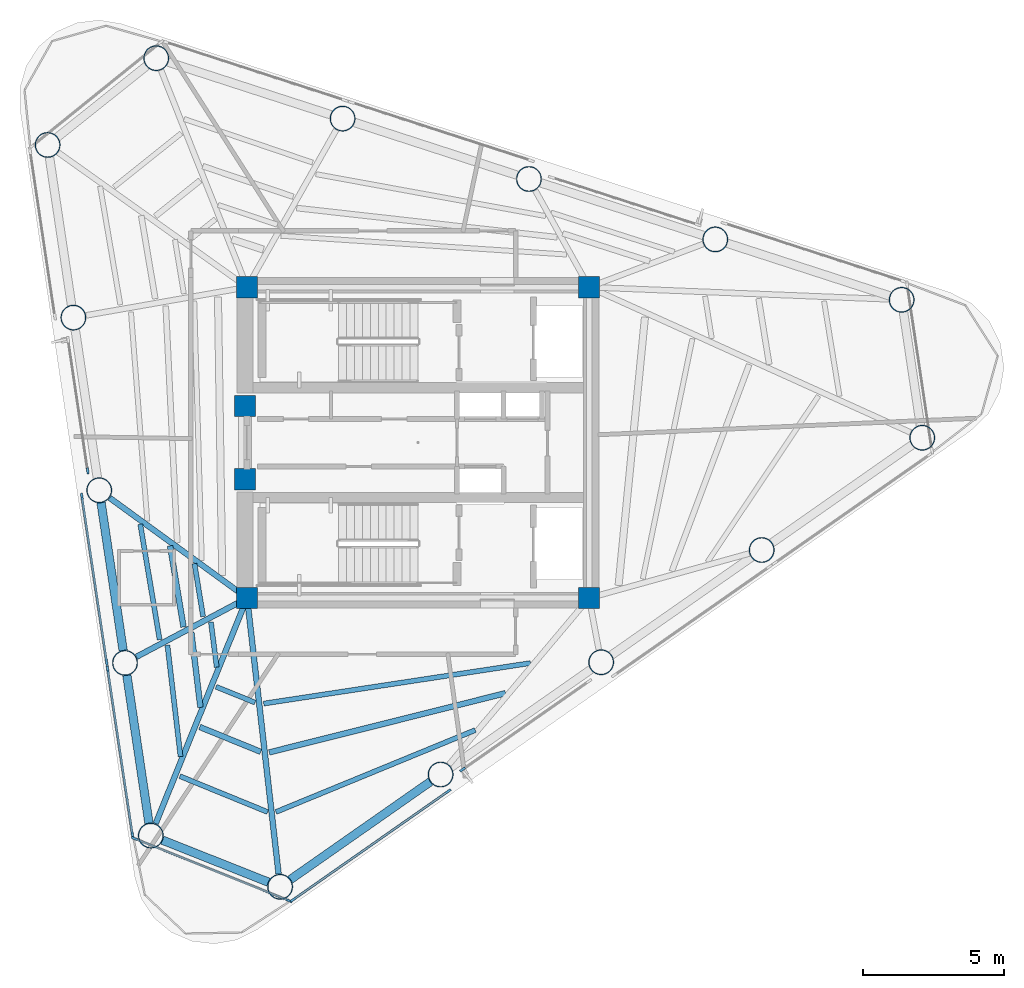
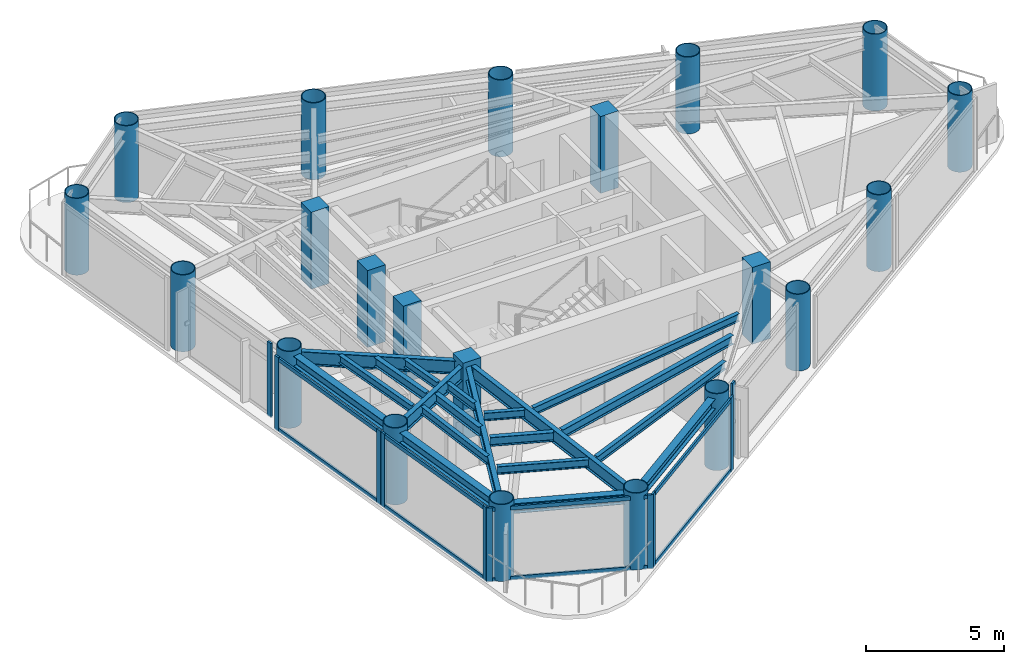
# One storey, part 1 of 9: 21 columns, 20 beams, 18 members, 6 elements without a shape of their own.
"""IFC4 building model written with IfcOpenShell, lengths in metres."""

from ifc_helpers import new_model, si_unit, direction, frame, origin, origin_2d, place, context, subcontext, project, spatial, rectangle, hollow_circle, i_section, extrude, source, transform, mapped, material, layer, layer_set, material_profile, profile_set, type_object, element, aggregate, save


model = new_model("IFC4")

# Units and contexts
model_context = context("Model", 3, precision=1e-05, world=origin(), true_north=direction((0.0, 1.0)))
body_context = subcontext(model_context, "Body", "Model", "MODEL_VIEW")
ifc_project = project(units=[si_unit("LENGTHUNIT", "METRE"), si_unit("AREAUNIT", "SQUARE_METRE"), si_unit("VOLUMEUNIT", "CUBIC_METRE"), si_unit("PLANEANGLEUNIT", "RADIAN"), si_unit("MASSUNIT", "GRAM", prefix="KILO")], contexts=[model_context])

# Site, building, storey
site_placement = place(None, origin())
site = spatial("IfcSite", under=ifc_project, at=site_placement, CompositionType="ELEMENT")
building_placement = place(site_placement, origin())
building = spatial("IfcBuilding", under=site, at=building_placement, Name="Yunling Apex Tower", CompositionType="ELEMENT")
storey_placement = place(building_placement, frame((0.0, 0.0, 281.35009765625)))
storey = spatial("IfcBuildingStorey", under=building, at=storey_placement, Name="L69", CompositionType="ELEMENT", Elevation=281.35009765625)

# Columns
ifc_material_1 = material(Name="Concrete C50", Category="concrete")
ifc_material_profile_1 = material_profile(ifc_material_1, rectangle(XDim=0.75, YDim=0.75, at=origin_2d()))
ifc_profile_set_1 = profile_set([ifc_material_profile_1], Name="Concrete C50")
column_type_1 = type_object("IfcColumnType", Name="PC-SRC-4", PredefinedType="COLUMN", material=ifc_profile_set_1)
shared_shape_1 = source(origin(), body_context, "Body", "SweptSolid", [
    extrude(rectangle(XDim=0.75, YDim=0.75, at=origin_2d()), origin(), (0.0, 0.0, 1.0), 3.39990234375),
])
for number, where, z_axis, x_axis, name in (
    (1, (-6.050048828125, -5.5, 0.0), (0.0, 0.0, 1.0), (1.0, 0.0, 0.0), "L69 Core Spine Column CC-SW"),
    (2, (6.050048828125, -5.5, 0.0), (0.0, 0.0, 1.0), (1.0, 0.0, 0.0), "L69 Core Spine Column CC-SE"),
    (3, (6.050048828125, 5.5, 0.0), (0.0, 0.0, 1.0), (1.0, 0.0, 0.0), "L69 Core Spine Column CC-NE"),
    (4, (-6.050048828125, 5.5, 0.0), (0.0, 0.0, 1.0), (1.0, 0.0, 0.0), "L69 Core Spine Column CC-NW"),
    (5, (-6.125, -1.300048828125, 0.0), (0.0, 0.0, 1.0), (1.0, 0.0, 0.0), "L69 Core West Portal Jamb Column S"),
    (6, (-6.125, 1.300048828125, 0.0), (0.0, 0.0, 1.0), (1.0, 0.0, 0.0), "L69 Core West Portal Jamb Column N"),
):
    element("IfcColumn", number, at=place(storey_placement, frame(where, z_axis=z_axis, x_axis=x_axis)), inside=storey, type_object=column_type_1, Name=name, PredefinedType="COLUMN", context=body_context, shape_type="MappedRepresentation", body=[
        mapped(shared_shape_1, transform((0.0, 0.0, 0.0), scale=1.0)),
    ])
ifc_material_2 = material(Name="Steel Q355B", Category="steel")
ifc_material_profile_2 = material_profile(ifc_material_2, hollow_circle(Radius=0.449951171875, WallThickness=0.031982421875, at=origin_2d()))
ifc_profile_set_2 = profile_set([ifc_material_profile_2], Name="Steel Q355B")
column_type_2 = type_object("IfcColumnType", Name="MC-CFST-6", PredefinedType="COLUMN", material=ifc_profile_set_2)
shared_shape_2 = source(origin(), body_context, "Body", "SweptSolid", [
    extrude(hollow_circle(Radius=0.449951171875, WallThickness=0.031982421875, at=origin_2d()), origin(), (0.0, 0.0, 1.0), 3.39990234375),
])
for number, where, z_axis, x_axis, name in (
    (7, (-4.8837890625, -15.716796875, 0.0), (0.0, 0.0, 1.0), (1.0, 0.0, 0.0), "L69 Perimeter CFST Mega-Column P01"),
    (8, (0.797119140625, -11.744873046875, 0.0), (0.0, 0.0, 1.0), (1.0, 0.0, 0.0), "L69 Perimeter CFST Mega-Column P02"),
    (9, (6.47802734375, -7.77294921875, 0.0), (0.0, 0.0, 1.0), (1.0, 0.0, 0.0), "L69 Perimeter CFST Mega-Column P03"),
    (10, (12.15869140625, -3.801025390625, 0.0), (0.0, 0.0, 1.0), (1.0, 0.0, 0.0), "L69 Perimeter CFST Mega-Column P04"),
    (11, (17.839599609375, 0.1708984375, 0.0), (0.0, 0.0, 1.0), (1.0, 0.0, 0.0), "L69 Perimeter CFST Mega-Column P05"),
    (12, (17.110107421875, 5.052490234375, 0.0), (0.0, 0.0, 1.0), (1.0, 0.0, 0.0), "L69 Perimeter CFST Mega-Column P06"),
    (13, (10.51611328125, 7.18994140625, 0.0), (0.0, 0.0, 1.0), (1.0, 0.0, 0.0), "L69 Perimeter CFST Mega-Column P07"),
    (14, (3.92236328125, 9.327392578125, 0.0), (0.0, 0.0, 1.0), (1.0, 0.0, 0.0), "L69 Perimeter CFST Mega-Column P08"),
    (15, (-2.671630859375, 11.46484375, 0.0), (0.0, 0.0, 1.0), (1.0, 0.0, 0.0), "L69 Perimeter CFST Mega-Column P09"),
    (16, (-9.265625, 13.602294921875, 0.0), (0.0, 0.0, 1.0), (1.0, 0.0, 0.0), "L69 Perimeter CFST Mega-Column P10"),
    (17, (-13.10986328125, 10.532470703125, 0.0), (0.0, 0.0, 1.0), (1.0, 0.0, 0.0), "L69 Perimeter CFST Mega-Column P11"),
    (18, (-12.19677734375, 4.423095703125, 0.0), (0.0, 0.0, 1.0), (1.0, 0.0, 0.0), "L69 Perimeter CFST Mega-Column P12"),
    (19, (-11.28369140625, -1.686279296875, 0.0), (0.0, 0.0, 1.0), (1.0, 0.0, 0.0), "L69 Perimeter CFST Mega-Column P13"),
    (20, (-10.37060546875, -7.7958984375, 0.0), (0.0, 0.0, 1.0), (1.0, 0.0, 0.0), "L69 Perimeter CFST Mega-Column P14"),
    (21, (-9.45751953125, -13.9052734375, 0.0), (0.0, 0.0, 1.0), (1.0, 0.0, 0.0), "L69 Perimeter CFST Mega-Column P15"),
):
    element("IfcColumn", number, at=place(storey_placement, frame(where, z_axis=z_axis, x_axis=x_axis)), inside=storey, type_object=column_type_2, Name=name, PredefinedType="COLUMN", context=body_context, shape_type="MappedRepresentation", body=[
        mapped(shared_shape_2, transform((0.0, 0.0, 0.0), scale=1.0)),
    ])

# Beams
ifc_material_profile_3 = material_profile(ifc_material_2, i_section(OverallWidth=0.300048828125, OverallDepth=0.43994140625, WebThickness=0.010986328125, FlangeThickness=0.01806640625, FilletRadius=0.02197265625, at=origin_2d()))
ifc_profile_set_3 = profile_set([ifc_material_profile_3], Name="Steel Q355B")
beam_type_1 = type_object("IfcBeamType", Name="BP-SPN-3", PredefinedType="SPANDREL", material=ifc_profile_set_3)
shared_shape_3 = source(origin(), body_context, "Body", "SweptSolid", [
    extrude(i_section(OverallWidth=0.300048828125, OverallDepth=0.43994140625, WebThickness=0.010986328125, FlangeThickness=0.01806640625, FilletRadius=0.02197265625, at=origin_2d()), origin(), (0.0, 0.0, 1.0), 6.043701171875),
])
beam_1_placement = place(storey_placement, frame((-4.52001953125, -15.46240234375, 2.9599609375), z_axis=(0.819546828705, 0.5730122124, 0.0), x_axis=(-0.5730122124, 0.819546828705, 0.0)))
element("IfcBeam", 22, at=beam_1_placement, inside=storey, type_object=beam_type_1, Name="L69 Perimeter Spandrel Beam 1", PredefinedType="SPANDREL", context=body_context, shape_type="MappedRepresentation", body=[
    mapped(shared_shape_3, transform((0.0, 0.0, 0.0), scale=1.0)),
])
shared_shape_4 = source(origin(), body_context, "Body", "SweptSolid", [
    extrude(i_section(OverallWidth=0.300048828125, OverallDepth=0.43994140625, WebThickness=0.010986328125, FlangeThickness=0.01806640625, FilletRadius=0.02197265625, at=origin_2d()), origin(), (0.0, 0.0, 1.0), 5.289306640625),
])
for number, where, z_axis, x_axis, name in (
    (23, (-11.218017578125, -2.12548828125, 2.9599609375), (0.147796471114, -0.989017797174, 0.0), (0.989017797174, 0.147796471114, 0.0), "L69 Perimeter Spandrel Beam 13"),
    (24, (-10.304931640625, -8.23486328125, 2.9599609375), (0.147796471114, -0.989017797174, 0.0), (0.989017797174, 0.147796471114, 0.0), "L69 Perimeter Spandrel Beam 14"),
):
    element("IfcBeam", number, at=place(storey_placement, frame(where, z_axis=z_axis, x_axis=x_axis)), inside=storey, type_object=beam_type_1, Name=name, PredefinedType="SPANDREL", context=body_context, shape_type="MappedRepresentation", body=[
        mapped(shared_shape_4, transform((0.0, 0.0, 0.0), scale=1.0)),
    ])
shared_shape_5 = source(origin(), body_context, "Body", "SweptSolid", [
    extrude(i_section(OverallWidth=0.300048828125, OverallDepth=0.43994140625, WebThickness=0.010986328125, FlangeThickness=0.01806640625, FilletRadius=0.02197265625, at=origin_2d()), origin(), (0.0, 0.0, 1.0), 4.03173828125),
])
beam_2_placement = place(storey_placement, frame((-9.044921875, -14.068603515625, 2.9599609375), z_axis=(0.92970771396, -0.368298203368, 0.0), x_axis=(0.368298203368, 0.92970771396, 0.0)))
element("IfcBeam", 25, at=beam_2_placement, inside=storey, type_object=beam_type_1, Name="L69 Perimeter Spandrel Beam 15", PredefinedType="SPANDREL", context=body_context, shape_type="MappedRepresentation", body=[
    mapped(shared_shape_5, transform((0.0, 0.0, 0.0), scale=1.0)),
])
ifc_material_profile_4 = material_profile(ifc_material_2, i_section(OverallWidth=0.199951171875, OverallDepth=0.60009765625, WebThickness=0.010986328125, FlangeThickness=0.01708984375, FilletRadius=0.02197265625, at=origin_2d()))
ifc_profile_set_4 = profile_set([ifc_material_profile_4], Name="Steel Q355B")
beam_type_2 = type_object("IfcBeamType", Name="BG-PRI-5", PredefinedType="USERDEFINED", material=ifc_profile_set_4)
shared_shape_6 = source(origin(), body_context, "Body", "SweptSolid", [
    extrude(i_section(OverallWidth=0.199951171875, OverallDepth=0.60009765625, WebThickness=0.010986328125, FlangeThickness=0.01708984375, FilletRadius=0.02197265625, at=origin_2d()), origin(), (0.0, 0.0, 1.0), 9.745361328125),
])
beam_3_placement = place(storey_placement, frame((-4.935791015625, -15.261962890625, 2.8798828125), z_axis=(-0.11341163891, 0.993548086486, 0.0), x_axis=(-0.993548086486, -0.11341163891, 0.0)))
element("IfcBeam", 26, at=beam_3_placement, inside=storey, type_object=beam_type_2, Name="L69 Radial Primary Girder R01", ObjectType="GIRDER", PredefinedType="USERDEFINED", context=body_context, shape_type="MappedRepresentation", body=[
    mapped(shared_shape_6, transform((0.0, 0.0, 0.0), scale=1.0)),
])
shared_shape_7 = source(origin(), body_context, "Body", "SweptSolid", [
    extrude(i_section(OverallWidth=0.199951171875, OverallDepth=0.60009765625, WebThickness=0.010986328125, FlangeThickness=0.01708984375, FilletRadius=0.02197265625, at=origin_2d()), origin(), (0.0, 0.0, 1.0), 5.937744140625),
])
beam_4_placement = place(storey_placement, frame((-10.91357421875, -1.9560546875, 2.8798828125), z_axis=(0.808193442209, -0.588917107894, 0.0), x_axis=(0.588917107894, 0.808193442209, 0.0)))
element("IfcBeam", 27, at=beam_4_placement, inside=storey, type_object=beam_type_2, Name="L69 Radial Primary Girder R13", ObjectType="GIRDER", PredefinedType="USERDEFINED", context=body_context, shape_type="MappedRepresentation", body=[
    mapped(shared_shape_7, transform((0.0, 0.0, 0.0), scale=1.0)),
])
shared_shape_8 = source(origin(), body_context, "Body", "SweptSolid", [
    extrude(i_section(OverallWidth=0.199951171875, OverallDepth=0.60009765625, WebThickness=0.010986328125, FlangeThickness=0.01708984375, FilletRadius=0.02197265625, at=origin_2d()), origin(), (0.0, 0.0, 1.0), 4.354736328125),
])
beam_5_placement = place(storey_placement, frame((-9.96630859375, -7.580810546875, 2.8798828125), z_axis=(0.883098298021, 0.469188017784, 0.0), x_axis=(-0.469188017784, 0.883098298021, 0.0)))
element("IfcBeam", 28, at=beam_5_placement, inside=storey, type_object=beam_type_2, Name="L69 Radial Primary Girder R14", ObjectType="GIRDER", PredefinedType="USERDEFINED", context=body_context, shape_type="MappedRepresentation", body=[
    mapped(shared_shape_8, transform((0.0, 0.0, 0.0), scale=1.0)),
])
shared_shape_9 = source(origin(), body_context, "Body", "SweptSolid", [
    extrude(i_section(OverallWidth=0.199951171875, OverallDepth=0.60009765625, WebThickness=0.010986328125, FlangeThickness=0.01708984375, FilletRadius=0.02197265625, at=origin_2d()), origin(), (0.0, 0.0, 1.0), 8.531494140625),
])
beam_6_placement = place(storey_placement, frame((-9.285400390625, -13.480712890625, 2.8798828125), z_axis=(0.375703780252, 0.926739806798, 0.0), x_axis=(-0.926739806798, 0.375703780252, 0.0)))
element("IfcBeam", 29, at=beam_6_placement, inside=storey, type_object=beam_type_2, Name="L69 Radial Primary Girder R15", ObjectType="GIRDER", PredefinedType="USERDEFINED", context=body_context, shape_type="MappedRepresentation", body=[
    mapped(shared_shape_9, transform((0.0, 0.0, 0.0), scale=1.0)),
])
ifc_material_profile_5 = material_profile(ifc_material_2, i_section(OverallWidth=0.199951171875, OverallDepth=0.39990234375, WebThickness=0.008056640625, FlangeThickness=0.012939453125, FilletRadius=0.01611328125, at=origin_2d()))
ifc_profile_set_5 = profile_set([ifc_material_profile_5], Name="Steel Q355B")
beam_type_3 = type_object("IfcBeamType", Name="BS-SEC-4", PredefinedType="BEAM", material=ifc_profile_set_5)
shared_shape_10 = source(origin(), body_context, "Body", "SweptSolid", [
    extrude(i_section(OverallWidth=0.199951171875, OverallDepth=0.39990234375, WebThickness=0.008056640625, FlangeThickness=0.012939453125, FilletRadius=0.01611328125, at=origin_2d()), origin(), (0.0, 0.0, 1.0), 8.62109375),
])
beam_7_placement = place(storey_placement, frame((-5.266845703125, -10.962646484375, 2.97998046875), z_axis=(0.96999740229, 0.243115280374, 0.0), x_axis=(-0.243115280374, 0.96999740229, 0.0)))
element("IfcBeam", 30, at=beam_7_placement, inside=storey, type_object=beam_type_3, Name="L69 Composite Floor Beam BS-1", PredefinedType="BEAM", context=body_context, shape_type="MappedRepresentation", body=[
    mapped(shared_shape_10, transform((0.0, 0.0, 0.0), scale=1.0)),
])
ifc_material_profile_6 = material_profile(ifc_material_2, i_section(OverallWidth=0.175048828125, OverallDepth=0.35009765625, WebThickness=0.007080078125, FlangeThickness=0.010986328125, FilletRadius=0.013916015625, at=origin_2d()))
ifc_profile_set_6 = profile_set([ifc_material_profile_6], Name="Steel Q355B")
beam_type_4 = type_object("IfcBeamType", Name="BJ-JST-1", PredefinedType="JOIST", material=ifc_profile_set_6)
shared_shape_11 = source(origin(), body_context, "Body", "SweptSolid", [
    extrude(i_section(OverallWidth=0.175048828125, OverallDepth=0.35009765625, WebThickness=0.007080078125, FlangeThickness=0.010986328125, FilletRadius=0.013916015625, at=origin_2d()), origin(), (0.0, 0.0, 1.0), 7.626953125),
])
beam_8_placement = place(storey_placement, frame((-5.031005859375, -13.071044921875, 3.0048828125), z_axis=(0.924936429691, 0.380121823934, 0.0), x_axis=(-0.380121823934, 0.924936429691, 0.0)))
element("IfcBeam", 31, at=beam_8_placement, inside=storey, type_object=beam_type_4, Name="L69 Composite Floor Joist BJ1-1", PredefinedType="JOIST", context=body_context, shape_type="MappedRepresentation", body=[
    mapped(shared_shape_11, transform((0.0, 0.0, 0.0), scale=1.0)),
])
shared_shape_12 = source(origin(), body_context, "Body", "SweptSolid", [
    extrude(i_section(OverallWidth=0.175048828125, OverallDepth=0.35009765625, WebThickness=0.007080078125, FlangeThickness=0.010986328125, FilletRadius=0.013916015625, at=origin_2d()), origin(), (0.0, 0.0, 1.0), 9.546630859375),
])
beam_9_placement = place(storey_placement, frame((-5.462646484375, -9.23486328125, 3.0048828125), z_axis=(0.988668394837, 0.150115972004, 0.0), x_axis=(-0.150115972004, 0.988668394837, 0.0)))
element("IfcBeam", 32, at=beam_9_placement, inside=storey, type_object=beam_type_4, Name="L69 Composite Floor Joist BJ3-1", PredefinedType="JOIST", context=body_context, shape_type="MappedRepresentation", body=[
    mapped(shared_shape_12, transform((0.0, 0.0, 0.0), scale=1.0)),
])
shared_shape_13 = source(origin(), body_context, "Body", "SweptSolid", [
    extrude(i_section(OverallWidth=0.199951171875, OverallDepth=0.39990234375, WebThickness=0.008056640625, FlangeThickness=0.012939453125, FilletRadius=0.01611328125, at=origin_2d()), origin(), (0.0, 0.0, 1.0), 2.910400390625),
])
beam_10_placement = place(storey_placement, frame((-8.77587890625, -3.652587890625, 2.97998046875), z_axis=(0.163405899616, -0.986558924733, 0.0), x_axis=(0.986558924733, 0.163405899616, 0.0)))
element("IfcBeam", 33, at=beam_10_placement, inside=storey, type_object=beam_type_3, Name="L69 Composite Floor Beam BS-13", PredefinedType="BEAM", context=body_context, shape_type="MappedRepresentation", body=[
    mapped(shared_shape_13, transform((0.0, 0.0, 0.0), scale=1.0)),
])
shared_shape_14 = source(origin(), body_context, "Body", "SweptSolid", [
    extrude(i_section(OverallWidth=0.175048828125, OverallDepth=0.35009765625, WebThickness=0.007080078125, FlangeThickness=0.010986328125, FilletRadius=0.013916015625, at=origin_2d()), origin(), (0.0, 0.0, 1.0), 4.14697265625),
])
beam_11_placement = place(storey_placement, frame((-9.831298828125, -2.88330078125, 3.0048828125), z_axis=(0.165134037528, -0.986271133943, 0.0), x_axis=(0.986271133943, 0.165134037528, 0.0)))
element("IfcBeam", 34, at=beam_11_placement, inside=storey, type_object=beam_type_4, Name="L69 Composite Floor Joist BJ1-13", PredefinedType="JOIST", context=body_context, shape_type="MappedRepresentation", body=[
    mapped(shared_shape_14, transform((0.0, 0.0, 0.0), scale=1.0)),
])
shared_shape_15 = source(origin(), body_context, "Body", "SweptSolid", [
    extrude(i_section(OverallWidth=0.175048828125, OverallDepth=0.35009765625, WebThickness=0.007080078125, FlangeThickness=0.010986328125, FilletRadius=0.013916015625, at=origin_2d()), origin(), (0.0, 0.0, 1.0), 1.898681640625),
])
beam_12_placement = place(storey_placement, frame((-7.91259765625, -4.281982421875, 3.0048828125), z_axis=(0.160602772894, -0.987019123087, 0.0), x_axis=(0.987019123087, 0.160602772894, 0.0)))
element("IfcBeam", 35, at=beam_12_placement, inside=storey, type_object=beam_type_4, Name="L69 Composite Floor Joist BJ3-13", PredefinedType="JOIST", context=body_context, shape_type="MappedRepresentation", body=[
    mapped(shared_shape_15, transform((0.0, 0.0, 0.0), scale=1.0)),
])
shared_shape_16 = source(origin(), body_context, "Body", "SweptSolid", [
    extrude(i_section(OverallWidth=0.199951171875, OverallDepth=0.39990234375, WebThickness=0.008056640625, FlangeThickness=0.012939453125, FilletRadius=0.01611328125, at=origin_2d()), origin(), (0.0, 0.0, 1.0), 2.670166015625),
])
beam_13_placement = place(storey_placement, frame((-8.024169921875, -6.718017578125, 2.97998046875), z_axis=(0.12060169382, -0.992700977862, 0.0), x_axis=(0.992700977862, 0.12060169382, 0.0)))
element("IfcBeam", 36, at=beam_13_placement, inside=storey, type_object=beam_type_3, Name="L69 Composite Floor Beam BS-14", PredefinedType="BEAM", context=body_context, shape_type="MappedRepresentation", body=[
    mapped(shared_shape_16, transform((0.0, 0.0, 0.0), scale=1.0)),
])
shared_shape_17 = source(origin(), body_context, "Body", "SweptSolid", [
    extrude(i_section(OverallWidth=0.175048828125, OverallDepth=0.35009765625, WebThickness=0.007080078125, FlangeThickness=0.010986328125, FilletRadius=0.013916015625, at=origin_2d()), origin(), (0.0, 0.0, 1.0), 3.96728515625),
])
beam_14_placement = place(storey_placement, frame((-8.87060546875, -7.167724609375, 3.0048828125), z_axis=(0.116919795798, -0.993141360205, 0.0), x_axis=(0.993141360205, 0.116919795798, 0.0)))
element("IfcBeam", 37, at=beam_14_placement, inside=storey, type_object=beam_type_4, Name="L69 Composite Floor Joist BJ1-14", PredefinedType="JOIST", context=body_context, shape_type="MappedRepresentation", body=[
    mapped(shared_shape_17, transform((0.0, 0.0, 0.0), scale=1.0)),
])
shared_shape_18 = source(origin(), body_context, "Body", "SweptSolid", [
    extrude(i_section(OverallWidth=0.175048828125, OverallDepth=0.35009765625, WebThickness=0.007080078125, FlangeThickness=0.010986328125, FilletRadius=0.013916015625, at=origin_2d()), origin(), (0.0, 0.0, 1.0), 1.608642578125),
])
beam_15_placement = place(storey_placement, frame((-7.330810546875, -6.35009765625, 3.0048828125), z_axis=(0.12719111786, -0.99187822818, 0.0), x_axis=(0.99187822818, 0.12719111786, 0.0)))
element("IfcBeam", 38, at=beam_15_placement, inside=storey, type_object=beam_type_4, Name="L69 Composite Floor Joist BJ3-14", PredefinedType="JOIST", context=body_context, shape_type="MappedRepresentation", body=[
    mapped(shared_shape_18, transform((0.0, 0.0, 0.0), scale=1.0)),
])
shared_shape_19 = source(origin(), body_context, "Body", "SweptSolid", [
    extrude(i_section(OverallWidth=0.199951171875, OverallDepth=0.39990234375, WebThickness=0.008056640625, FlangeThickness=0.012939453125, FilletRadius=0.01611328125, at=origin_2d()), origin(), (0.0, 0.0, 1.0), 2.3291015625),
])
beam_16_placement = place(storey_placement, frame((-7.72705078125, -10.062255859375, 2.97998046875), z_axis=(0.926020445617, -0.377473355747, 0.0), x_axis=(0.377473355747, 0.926020445617, 0.0)))
element("IfcBeam", 39, at=beam_16_placement, inside=storey, type_object=beam_type_3, Name="L69 Composite Floor Beam BS-15", PredefinedType="BEAM", context=body_context, shape_type="MappedRepresentation", body=[
    mapped(shared_shape_19, transform((0.0, 0.0, 0.0), scale=1.0)),
])
shared_shape_20 = source(origin(), body_context, "Body", "SweptSolid", [
    extrude(i_section(OverallWidth=0.175048828125, OverallDepth=0.35009765625, WebThickness=0.007080078125, FlangeThickness=0.010986328125, FilletRadius=0.013916015625, at=origin_2d()), origin(), (0.0, 0.0, 1.0), 3.354736328125),
])
beam_17_placement = place(storey_placement, frame((-8.43212890625, -11.802001953125, 3.0048828125), z_axis=(0.925654732165, -0.378369286306, 0.0), x_axis=(0.378369286306, 0.925654732165, 0.0)))
element("IfcBeam", 40, at=beam_17_placement, inside=storey, type_object=beam_type_4, Name="L69 Composite Floor Joist BJ1-15", PredefinedType="JOIST", context=body_context, shape_type="MappedRepresentation", body=[
    mapped(shared_shape_20, transform((0.0, 0.0, 0.0), scale=1.0)),
])
shared_shape_21 = source(origin(), body_context, "Body", "SweptSolid", [
    extrude(i_section(OverallWidth=0.175048828125, OverallDepth=0.35009765625, WebThickness=0.007080078125, FlangeThickness=0.010986328125, FilletRadius=0.013916015625, at=origin_2d()), origin(), (0.0, 0.0, 1.0), 1.48974609375),
])
beam_18_placement = place(storey_placement, frame((-7.14990234375, -8.638916015625, 3.0048828125), z_axis=(0.926714592409, -0.375765970008, 0.0), x_axis=(0.375765970008, 0.926714592409, 0.0)))
element("IfcBeam", 41, at=beam_18_placement, inside=storey, type_object=beam_type_4, Name="L69 Composite Floor Joist BJ3-15", PredefinedType="JOIST", context=body_context, shape_type="MappedRepresentation", body=[
    mapped(shared_shape_21, transform((0.0, 0.0, 0.0), scale=1.0)),
])

# Curtain wall, members
ifc_material_3 = material(Name="Bronze anodised aluminium", Category="aluminium")
ifc_layer = layer(ifc_material_3, 0.219970703125)
ifc_layer_set = layer_set([ifc_layer], Name="Bronze anodised aluminium")
curtain_wall_type = type_object("IfcCurtainWallType", Name="CW-SYS-4", PredefinedType="NOTDEFINED", material=ifc_layer_set)
curtain_wall_1_placement = place(storey_placement, origin())
curtain_wall_1 = element("IfcCurtainWall", 42, at=curtain_wall_1_placement, inside=storey, type_object=curtain_wall_type, Name="CW-L69-F1-B1", PredefinedType="NOTDEFINED")
ifc_material_profile_7 = material_profile(ifc_material_3, rectangle(XDim=0.080078125, YDim=0.219970703125, at=origin_2d()))
ifc_profile_set_7 = profile_set([ifc_material_profile_7], Name="Bronze anodised aluminium")
member_type_1 = type_object("IfcMemberType", Name="CW-MUL-4", PredefinedType="MULLION", material=ifc_profile_set_7)
shared_shape_22 = source(origin(), body_context, "Body", "SweptSolid", [
    extrude(rectangle(XDim=0.080078125, YDim=0.219970703125, at=origin_2d()), origin(), (0.0, 0.0, 1.0), 3.280029296875),
])
member_1_placement = place(storey_placement, frame((-4.418701171875, -16.172607421875, -0.050048828125), z_axis=(0.0, 0.0, 1.0), x_axis=(-0.573000403744, 0.819555084976, 0.0)))
member_1 = element("IfcMember", 43, at=member_1_placement, type_object=member_type_1, Name="CW-SYS-4 mullion 1", PredefinedType="MULLION", context=body_context, shape_type="MappedRepresentation", body=[
    mapped(shared_shape_22, transform((0.0, 0.0, 0.0), scale=1.0)),
])
member_2_placement = place(storey_placement, frame((1.0654296875, -12.338134765625, -0.050048828125), z_axis=(0.0, 0.0, 1.0), x_axis=(-0.573000403744, 0.819555084976, 0.0)))
member_2 = element("IfcMember", 44, at=member_2_placement, type_object=member_type_1, Name="CW-SYS-4 mullion 2", PredefinedType="MULLION", context=body_context, shape_type="MappedRepresentation", body=[
    mapped(shared_shape_22, transform((0.0, 0.0, 0.0), scale=1.0)),
])

# Curtain wall, member
curtain_wall_2_placement = place(storey_placement, origin())
curtain_wall_2 = element("IfcCurtainWall", 45, at=curtain_wall_2_placement, inside=storey, type_object=curtain_wall_type, Name="CW-L69-F1-B2", PredefinedType="NOTDEFINED")
member_3_placement = place(storey_placement, frame((1.575439453125, -11.56689453125, -0.050048828125), z_axis=(0.0, 0.0, 1.0), x_axis=(-0.57299879219, 0.819556211708, 0.0)))
member_3 = element("IfcMember", 46, at=member_3_placement, type_object=member_type_1, Name="CW-SYS-4 mullion 1", PredefinedType="MULLION", context=body_context, shape_type="MappedRepresentation", body=[
    mapped(shared_shape_22, transform((0.0, 0.0, 0.0), scale=1.0)),
])
aggregate(curtain_wall_2, [member_3])

curtain_wall_3_placement = place(storey_placement, origin())
curtain_wall_3 = element("IfcCurtainWall", 47, at=curtain_wall_3_placement, inside=storey, type_object=curtain_wall_type, Name="CW-L69-F3-B2", PredefinedType="NOTDEFINED")
member_4_placement = place(storey_placement, frame((-11.689697265625, -0.998779296875, -0.050048828125), z_axis=(0.0, 0.0, 1.0), x_axis=(0.989016661745, 0.147804068926, 0.0)))
member_4 = element("IfcMember", 48, at=member_4_placement, type_object=member_type_1, Name="CW-SYS-4 mullion 2", PredefinedType="MULLION", context=body_context, shape_type="MappedRepresentation", body=[
    mapped(shared_shape_22, transform((0.0, 0.0, 0.0), scale=1.0)),
])
aggregate(curtain_wall_3, [member_4])

# Curtain wall, members
curtain_wall_4_placement = place(storey_placement, origin())
curtain_wall_4 = element("IfcCurtainWall", 49, at=curtain_wall_4_placement, inside=storey, type_object=curtain_wall_type, Name="CW-L69-F3-B3", PredefinedType="NOTDEFINED")
member_5_placement = place(storey_placement, frame((-11.89892578125, -1.899658203125, -0.050048828125), z_axis=(0.0, 0.0, 1.0), x_axis=(0.989016174309, 0.147807330522, 0.0)))
member_5 = element("IfcMember", 50, at=member_5_placement, type_object=member_type_1, Name="CW-SYS-4 mullion 1", PredefinedType="MULLION", context=body_context, shape_type="MappedRepresentation", body=[
    mapped(shared_shape_22, transform((0.0, 0.0, 0.0), scale=1.0)),
])
member_6_placement = place(storey_placement, frame((-11.021240234375, -7.771728515625, -0.050048828125), z_axis=(0.0, 0.0, 1.0), x_axis=(0.989016174309, 0.147807330522, 0.0)))
member_6 = element("IfcMember", 51, at=member_6_placement, type_object=member_type_1, Name="CW-SYS-4 mullion 2", PredefinedType="MULLION", context=body_context, shape_type="MappedRepresentation", body=[
    mapped(shared_shape_22, transform((0.0, 0.0, 0.0), scale=1.0)),
])

curtain_wall_5_placement = place(storey_placement, origin())
curtain_wall_5 = element("IfcCurtainWall", 52, at=curtain_wall_5_placement, inside=storey, type_object=curtain_wall_type, Name="CW-L69-F3-B4", PredefinedType="NOTDEFINED")
member_7_placement = place(storey_placement, frame((-10.98583984375, -8.009033203125, -0.050048828125), z_axis=(0.0, 0.0, 1.0), x_axis=(0.989018603576, 0.147791074763, 0.0)))
member_7 = element("IfcMember", 53, at=member_7_placement, type_object=member_type_1, Name="CW-SYS-4 mullion 1", PredefinedType="MULLION", context=body_context, shape_type="MappedRepresentation", body=[
    mapped(shared_shape_22, transform((0.0, 0.0, 0.0), scale=1.0)),
])
member_8_placement = place(storey_placement, frame((-10.1083984375, -13.881103515625, -0.050048828125), z_axis=(0.0, 0.0, 1.0), x_axis=(0.989018603576, 0.147791074763, 0.0)))
member_8 = element("IfcMember", 54, at=member_8_placement, type_object=member_type_1, Name="CW-SYS-4 mullion 2", PredefinedType="MULLION", context=body_context, shape_type="MappedRepresentation", body=[
    mapped(shared_shape_22, transform((0.0, 0.0, 0.0), scale=1.0)),
])

curtain_wall_6_placement = place(storey_placement, origin())
curtain_wall_6 = element("IfcCurtainWall", 55, at=curtain_wall_6_placement, inside=storey, type_object=curtain_wall_type, Name="CW-L69-CRN3", PredefinedType="NOTDEFINED")
member_9_placement = place(storey_placement, frame((-10.03369140625, -14.01171875, -0.050048828125), z_axis=(0.0, 0.0, 1.0), x_axis=(0.373009384078, 0.927827569859, 0.0)))
member_9 = element("IfcMember", 56, at=member_9_placement, type_object=member_type_1, Name="CW-SYS-4 mullion 1", PredefinedType="MULLION", context=body_context, shape_type="MappedRepresentation", body=[
    mapped(shared_shape_22, transform((0.0, 0.0, 0.0), scale=1.0)),
])
member_10_placement = place(storey_placement, frame((-4.565673828125, -16.2099609375, -0.050048828125), z_axis=(0.0, 0.0, 1.0), x_axis=(0.373009384078, 0.927827569859, 0.0)))
member_10 = element("IfcMember", 57, at=member_10_placement, type_object=member_type_1, Name="CW-SYS-4 mullion 2", PredefinedType="MULLION", context=body_context, shape_type="MappedRepresentation", body=[
    mapped(shared_shape_22, transform((0.0, 0.0, 0.0), scale=1.0)),
])

# Member
ifc_material_profile_8 = material_profile(ifc_material_3, rectangle(XDim=0.080078125, YDim=0.169921875, at=origin_2d()))
ifc_profile_set_8 = profile_set([ifc_material_profile_8], Name="Bronze anodised aluminium")
member_type_2 = type_object("IfcMemberType", Name="CW-TRN-4", PredefinedType="USERDEFINED", material=ifc_profile_set_8)
shared_shape_23 = source(origin(), body_context, "Body", "SweptSolid", [
    extrude(rectangle(XDim=0.080078125, YDim=0.169921875, at=origin_2d()), origin(), (0.0, 0.0, 1.0), 6.61962890625),
])
member_11_placement = place(storey_placement, frame((-4.389404296875, -16.15185546875, 0.039794921875), z_axis=(0.819567916002, 0.572982051255, 0.0), x_axis=(-0.572982051255, 0.819567916002, 0.0)))
member_11 = element("IfcMember", 58, at=member_11_placement, type_object=member_type_2, Name="CW-SYS-4 transom 1.1", ObjectType="TRANSOM", PredefinedType="USERDEFINED", context=body_context, shape_type="MappedRepresentation", body=[
    mapped(shared_shape_23, transform((0.0, 0.0, 0.0), scale=1.0)),
])

member_12_placement = place(storey_placement, frame((-4.389404296875, -16.15185546875, 3.139892578125), z_axis=(0.819567916002, 0.572982051255, 0.0), x_axis=(-0.572982051255, 0.819567916002, 0.0)))
member_12 = element("IfcMember", 59, at=member_12_placement, type_object=member_type_2, Name="CW-SYS-4 transom 1.2", ObjectType="TRANSOM", PredefinedType="USERDEFINED", context=body_context, shape_type="MappedRepresentation", body=[
    mapped(shared_shape_23, transform((0.0, 0.0, 0.0), scale=1.0)),
])

aggregate(curtain_wall_1, [member_1, member_2, member_11, member_12])

shared_shape_24 = source(origin(), body_context, "Body", "SweptSolid", [
    extrude(rectangle(XDim=0.080078125, YDim=0.169921875, at=origin_2d()), origin(), (0.0, 0.0, 1.0), 5.8212890625),
])
member_13_placement = place(storey_placement, frame((-10.000244140625, -14.025146484375, 0.039794921875), z_axis=(0.927827385224, -0.373009843339, 0.0), x_axis=(0.373009843339, 0.927827385224, 0.0)))
member_13 = element("IfcMember", 60, at=member_13_placement, type_object=member_type_2, Name="CW-SYS-4 transom 1.1", ObjectType="TRANSOM", PredefinedType="USERDEFINED", context=body_context, shape_type="MappedRepresentation", body=[
    mapped(shared_shape_24, transform((0.0, 0.0, 0.0), scale=1.0)),
])

member_14_placement = place(storey_placement, frame((-10.000244140625, -14.025146484375, 3.139892578125), z_axis=(0.927827385224, -0.373009843339, 0.0), x_axis=(0.373009843339, 0.927827385224, 0.0)))
member_14 = element("IfcMember", 61, at=member_14_placement, type_object=member_type_2, Name="CW-SYS-4 transom 1.2", ObjectType="TRANSOM", PredefinedType="USERDEFINED", context=body_context, shape_type="MappedRepresentation", body=[
    mapped(shared_shape_24, transform((0.0, 0.0, 0.0), scale=1.0)),
])

aggregate(curtain_wall_6, [member_9, member_10, member_13, member_14])

shared_shape_25 = source(origin(), body_context, "Body", "SweptSolid", [
    extrude(rectangle(XDim=0.080078125, YDim=0.169921875, at=origin_2d()), origin(), (0.0, 0.0, 1.0), 5.865234375),
])
member_15_placement = place(storey_placement, frame((-11.8935546875, -1.935302734375, 0.039794921875), z_axis=(0.147811211092, -0.989015594354, 0.0), x_axis=(0.989015594354, 0.147811211092, 0.0)))
member_15 = element("IfcMember", 62, at=member_15_placement, type_object=member_type_2, Name="CW-SYS-4 transom 1.1", ObjectType="TRANSOM", PredefinedType="USERDEFINED", context=body_context, shape_type="MappedRepresentation", body=[
    mapped(shared_shape_25, transform((0.0, 0.0, 0.0), scale=1.0)),
])

member_16_placement = place(storey_placement, frame((-11.8935546875, -1.935302734375, 3.139892578125), z_axis=(0.147811211092, -0.989015594354, 0.0), x_axis=(0.989015594354, 0.147811211092, 0.0)))
member_16 = element("IfcMember", 63, at=member_16_placement, type_object=member_type_2, Name="CW-SYS-4 transom 1.2", ObjectType="TRANSOM", PredefinedType="USERDEFINED", context=body_context, shape_type="MappedRepresentation", body=[
    mapped(shared_shape_25, transform((0.0, 0.0, 0.0), scale=1.0)),
])

aggregate(curtain_wall_4, [member_5, member_6, member_15, member_16])

member_17_placement = place(storey_placement, frame((-10.98046875, -8.044677734375, 0.039794921875), z_axis=(0.147811211092, -0.989015594354, 0.0), x_axis=(0.989015594354, 0.147811211092, 0.0)))
member_17 = element("IfcMember", 64, at=member_17_placement, type_object=member_type_2, Name="CW-SYS-4 transom 1.1", ObjectType="TRANSOM", PredefinedType="USERDEFINED", context=body_context, shape_type="MappedRepresentation", body=[
    mapped(shared_shape_25, transform((0.0, 0.0, 0.0), scale=1.0)),
])

member_18_placement = place(storey_placement, frame((-10.98046875, -8.044677734375, 3.139892578125), z_axis=(0.147811211092, -0.989015594354, 0.0), x_axis=(0.989015594354, 0.147811211092, 0.0)))
member_18 = element("IfcMember", 65, at=member_18_placement, type_object=member_type_2, Name="CW-SYS-4 transom 1.2", ObjectType="TRANSOM", PredefinedType="USERDEFINED", context=body_context, shape_type="MappedRepresentation", body=[
    mapped(shared_shape_25, transform((0.0, 0.0, 0.0), scale=1.0)),
])

aggregate(curtain_wall_5, [member_7, member_8, member_17, member_18])

save(model, "model.ifc")
